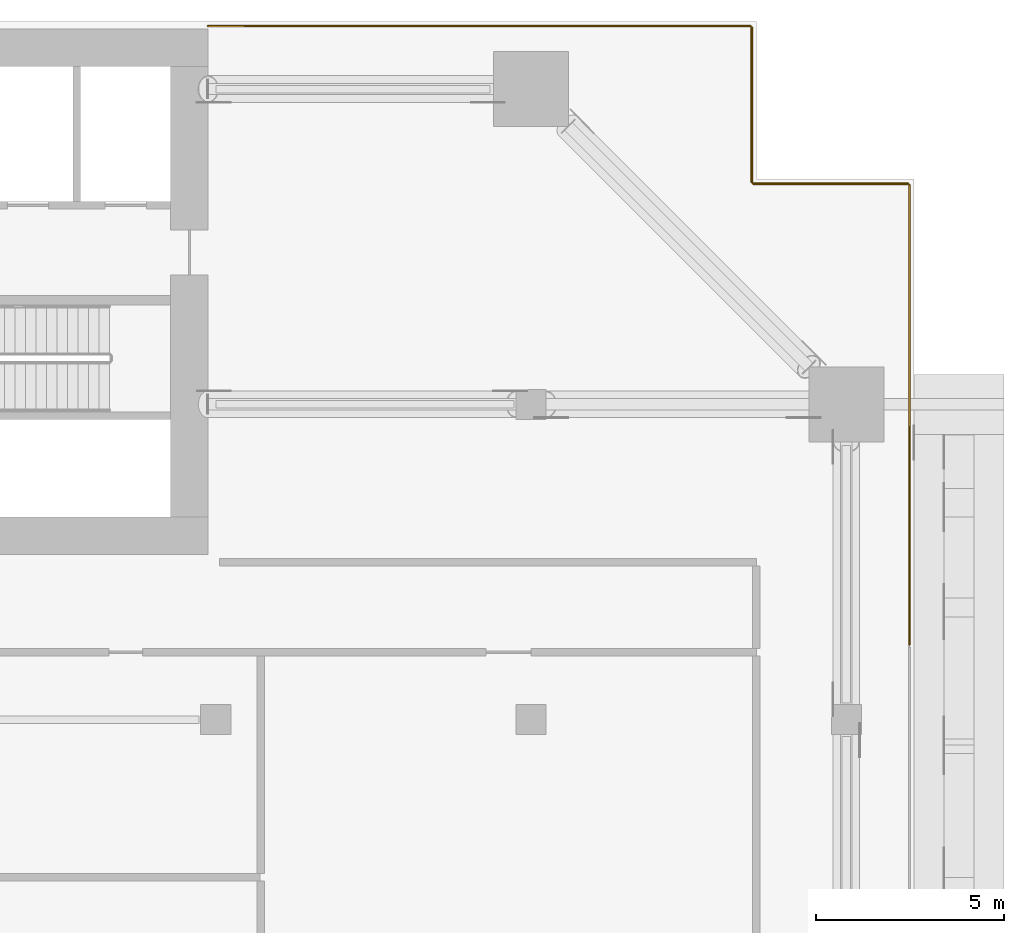
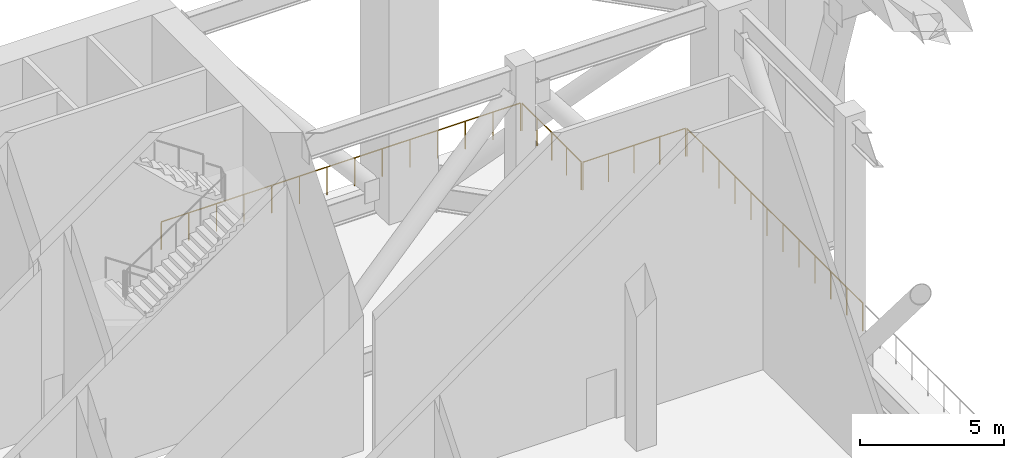
# One storey, part 19 of 19: 4 railings.
"""IFC4 building model written with IfcOpenShell, lengths in metres."""

from ifc_helpers import new_model, si_unit, direction, frame, origin, origin_2d, place, context, subcontext, project, spatial, circle, extrude, material, type_object, element, save


model = new_model("IFC4")

# Units and contexts
model_context = context("Model", 3, precision=1e-05, world=origin(), true_north=direction((0.0, 1.0)))
body_context = subcontext(model_context, "Body", "Model", "MODEL_VIEW")
ifc_project = project(units=[si_unit("LENGTHUNIT", "METRE"), si_unit("AREAUNIT", "SQUARE_METRE"), si_unit("VOLUMEUNIT", "CUBIC_METRE"), si_unit("PLANEANGLEUNIT", "RADIAN"), si_unit("MASSUNIT", "GRAM", prefix="KILO")], contexts=[model_context])

# Site, building, storey
site_placement = place(None, origin())
site = spatial("IfcSite", under=ifc_project, at=site_placement, CompositionType="ELEMENT")
building_placement = place(site_placement, origin())
building = spatial("IfcBuilding", under=site, at=building_placement, Name="Saffron Gate Tower", CompositionType="ELEMENT")
storey_placement = place(building_placement, frame((0.0, 0.0, 84.0)))
storey = spatial("IfcBuildingStorey", under=building, at=storey_placement, Name="L20", CompositionType="ELEMENT", Elevation=84.0)

# Railings
ifc_material = material(Name="Stainless steel posts and toughened glass infill", Category="steel")
railing_type = type_object("IfcRailingType", Name="BAL1 balustrade 1200", PredefinedType="BALUSTRADE", material=ifc_material)
railing_1_placement = place(storey_placement, frame((127.080078125, 59.0, 0.0)))
element("IfcRailing", 1, at=railing_1_placement, inside=storey, type_object=railing_type, Name="GUARD portal deck edge", PredefinedType="BALUSTRADE", context=body_context, shape_type="SweptSolid", body=[
    extrude(circle(Radius=0.02392578125, at=origin_2d()), frame((0.0, 0.0, 1.17578125), z_axis=(0.0, 1.0, 0.0), x_axis=(-1.0, 0.0, 0.0)), (0.0, 0.0, 1.0), 12.239990234375),
    extrude(circle(Radius=0.02099609375, at=origin_2d()), origin(), (0.0, 0.0, 1.0), 1.15185546875),
    extrude(circle(Radius=0.02099609375, at=origin_2d()), frame((0.0, 1.11279296875, 0.0)), (0.0, 0.0, 1.0), 1.15185546875),
    extrude(circle(Radius=0.02099609375, at=origin_2d()), frame((0.0, 2.225341796875, 0.0)), (0.0, 0.0, 1.0), 1.15185546875),
    extrude(circle(Radius=0.02099609375, at=origin_2d()), frame((0.0, 3.338134765625, 0.0)), (0.0, 0.0, 1.0), 1.15185546875),
    extrude(circle(Radius=0.02099609375, at=origin_2d()), frame((0.0, 4.450927734375, 0.0)), (0.0, 0.0, 1.0), 1.15185546875),
    extrude(circle(Radius=0.02099609375, at=origin_2d()), frame((0.0, 5.563720703125, 0.0)), (0.0, 0.0, 1.0), 1.15185546875),
    extrude(circle(Radius=0.02099609375, at=origin_2d()), frame((0.0, 6.67626953125, 0.0)), (0.0, 0.0, 1.0), 1.15185546875),
    extrude(circle(Radius=0.02099609375, at=origin_2d()), frame((0.0, 7.7890625, 0.0)), (0.0, 0.0, 1.0), 1.15185546875),
    extrude(circle(Radius=0.02099609375, at=origin_2d()), frame((0.0, 8.90185546875, 0.0)), (0.0, 0.0, 1.0), 1.15185546875),
    extrude(circle(Radius=0.02099609375, at=origin_2d()), frame((0.0, 10.0146484375, 0.0)), (0.0, 0.0, 1.0), 1.15185546875),
    extrude(circle(Radius=0.02099609375, at=origin_2d()), frame((0.0, 11.127197265625, 0.0)), (0.0, 0.0, 1.0), 1.15185546875),
    extrude(circle(Radius=0.02099609375, at=origin_2d()), frame((0.0, 12.239990234375, 0.0)), (0.0, 0.0, 1.0), 1.15185546875),
])
railing_2_placement = place(storey_placement, frame((127.0400390625, 71.280029296875, 0.0)))
element("IfcRailing", 2, at=railing_2_placement, inside=storey, type_object=railing_type, Name="GUARD portal deck edge", PredefinedType="BALUSTRADE", context=body_context, shape_type="SweptSolid", body=[
    extrude(circle(Radius=0.02392578125, at=origin_2d()), frame((0.0, 0.0, 1.17578125), z_axis=(-1.0, 0.0, 0.0), x_axis=(0.0, -1.0, 0.0)), (0.0, 0.0, 1.0), 4.1201171875),
    extrude(circle(Radius=0.02099609375, at=origin_2d()), origin(), (0.0, 0.0, 1.0), 1.15185546875),
    extrude(circle(Radius=0.02099609375, at=origin_2d()), frame((-1.030029296875, 0.0, 0.0)), (0.0, 0.0, 1.0), 1.15185546875),
    extrude(circle(Radius=0.02099609375, at=origin_2d()), frame((-2.06005859375, 0.0, 0.0)), (0.0, 0.0, 1.0), 1.15185546875),
    extrude(circle(Radius=0.02099609375, at=origin_2d()), frame((-3.090087890625, 0.0, 0.0)), (0.0, 0.0, 1.0), 1.15185546875),
    extrude(circle(Radius=0.02099609375, at=origin_2d()), frame((-4.1201171875, 0.0, 0.0)), (0.0, 0.0, 1.0), 1.15185546875),
])
railing_3_placement = place(storey_placement, frame((122.8798828125, 71.320068359375, 0.0)))
element("IfcRailing", 3, at=railing_3_placement, inside=storey, type_object=railing_type, Name="GUARD portal deck edge", PredefinedType="BALUSTRADE", context=body_context, shape_type="SweptSolid", body=[
    extrude(circle(Radius=0.02392578125, at=origin_2d()), frame((0.0, 0.0, 1.17578125), z_axis=(0.0, 1.0, 0.0), x_axis=(-1.0, 0.0, 0.0)), (0.0, 0.0, 1.0), 4.119873046875),
    extrude(circle(Radius=0.02099609375, at=origin_2d()), origin(), (0.0, 0.0, 1.0), 1.15185546875),
    extrude(circle(Radius=0.02099609375, at=origin_2d()), frame((0.0, 1.030029296875, 0.0)), (0.0, 0.0, 1.0), 1.15185546875),
    extrude(circle(Radius=0.02099609375, at=origin_2d()), frame((0.0, 2.06005859375, 0.0)), (0.0, 0.0, 1.0), 1.15185546875),
    extrude(circle(Radius=0.02099609375, at=origin_2d()), frame((0.0, 3.08984375, 0.0)), (0.0, 0.0, 1.0), 1.15185546875),
    extrude(circle(Radius=0.02099609375, at=origin_2d()), frame((0.0, 4.119873046875, 0.0)), (0.0, 0.0, 1.0), 1.15185546875),
])
railing_4_placement = place(storey_placement, frame((122.840087890625, 75.47998046875, 0.0)))
element("IfcRailing", 4, at=railing_4_placement, inside=storey, type_object=railing_type, Name="GUARD portal deck edge", PredefinedType="BALUSTRADE", context=body_context, shape_type="SweptSolid", body=[
    extrude(circle(Radius=0.02392578125, at=origin_2d()), frame((0.0, 0.0, 1.17578125), z_axis=(-1.0, 0.0, 0.0), x_axis=(0.0, -1.0, 0.0)), (0.0, 0.0, 1.0), 14.440185546875),
    extrude(circle(Radius=0.02099609375, at=origin_2d()), origin(), (0.0, 0.0, 1.0), 1.15185546875),
    extrude(circle(Radius=0.02099609375, at=origin_2d()), frame((-1.11083984375, 0.0, 0.0)), (0.0, 0.0, 1.0), 1.15185546875),
    extrude(circle(Radius=0.02099609375, at=origin_2d()), frame((-2.2216796875, 0.0, 0.0)), (0.0, 0.0, 1.0), 1.15185546875),
    extrude(circle(Radius=0.02099609375, at=origin_2d()), frame((-3.332275390625, 0.0, 0.0)), (0.0, 0.0, 1.0), 1.15185546875),
    extrude(circle(Radius=0.02099609375, at=origin_2d()), frame((-4.443115234375, 0.0, 0.0)), (0.0, 0.0, 1.0), 1.15185546875),
    extrude(circle(Radius=0.02099609375, at=origin_2d()), frame((-5.553955078125, 0.0, 0.0)), (0.0, 0.0, 1.0), 1.15185546875),
    extrude(circle(Radius=0.02099609375, at=origin_2d()), frame((-6.664794921875, 0.0, 0.0)), (0.0, 0.0, 1.0), 1.15185546875),
    extrude(circle(Radius=0.02099609375, at=origin_2d()), frame((-7.775390625, 0.0, 0.0)), (0.0, 0.0, 1.0), 1.15185546875),
    extrude(circle(Radius=0.02099609375, at=origin_2d()), frame((-8.88623046875, 0.0, 0.0)), (0.0, 0.0, 1.0), 1.15185546875),
    extrude(circle(Radius=0.02099609375, at=origin_2d()), frame((-9.9970703125, 0.0, 0.0)), (0.0, 0.0, 1.0), 1.15185546875),
    extrude(circle(Radius=0.02099609375, at=origin_2d()), frame((-11.10791015625, 0.0, 0.0)), (0.0, 0.0, 1.0), 1.15185546875),
    extrude(circle(Radius=0.02099609375, at=origin_2d()), frame((-12.218505859375, 0.0, 0.0)), (0.0, 0.0, 1.0), 1.15185546875),
    extrude(circle(Radius=0.02099609375, at=origin_2d()), frame((-13.329345703125, 0.0, 0.0)), (0.0, 0.0, 1.0), 1.15185546875),
    extrude(circle(Radius=0.02099609375, at=origin_2d()), frame((-14.440185546875, 0.0, 0.0)), (0.0, 0.0, 1.0), 1.15185546875),
])

save(model, "model.ifc")
